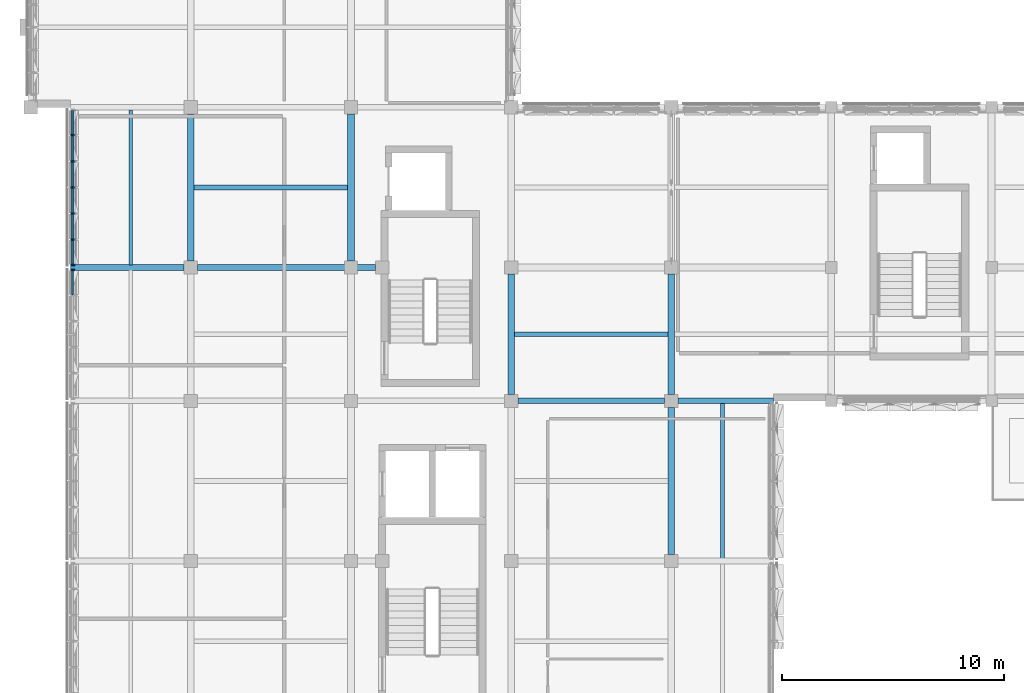
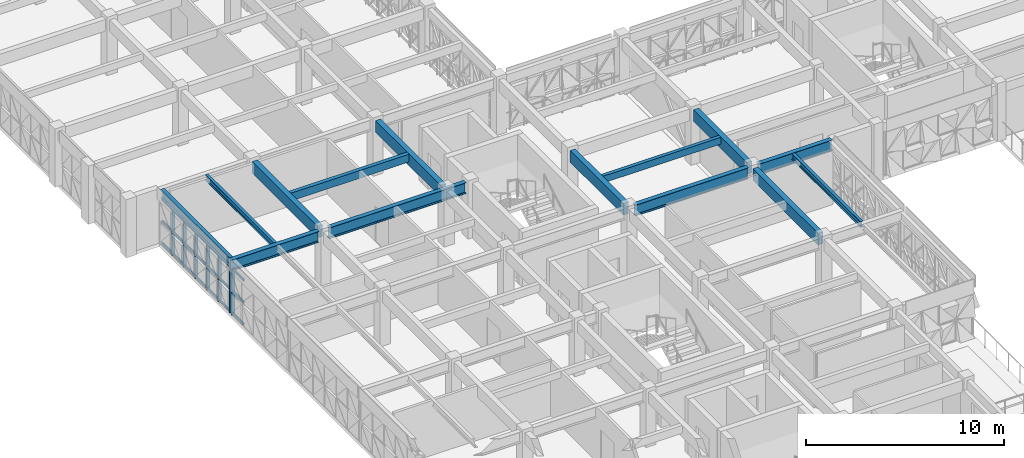
# One storey, part 5 of 74: 28 members, 14 beams, 2 elements without a shape of their own.
"""IFC4 building model written with IfcOpenShell, lengths in metres."""

from ifc_helpers import new_model, si_unit, direction, frame, origin, origin_2d, place, context, subcontext, project, spatial, rectangle, i_section, extrude, material, material_profile, profile_set, type_object, element, aggregate, save


model = new_model("IFC4")

# Units and contexts
model_context = context("Model", 3, precision=1e-05, world=origin(), true_north=direction((0.0, 1.0)))
body_context = subcontext(model_context, "Body", "Model", "MODEL_VIEW")
ifc_project = project(units=[si_unit("LENGTHUNIT", "METRE"), si_unit("AREAUNIT", "SQUARE_METRE"), si_unit("VOLUMEUNIT", "CUBIC_METRE"), si_unit("PLANEANGLEUNIT", "RADIAN"), si_unit("MASSUNIT", "GRAM", prefix="KILO")], contexts=[model_context])

# Site, building, storey
site_placement = place(None, origin())
site = spatial("IfcSite", under=ifc_project, at=site_placement, CompositionType="ELEMENT")
building_placement = place(site_placement, origin())
building = spatial("IfcBuilding", under=site, at=building_placement, Name="Alvorim Cloister Faculty of Sciences", CompositionType="ELEMENT")
storey_placement = place(building_placement, frame((0.0, 0.0, 15.75)))
storey = spatial("IfcBuildingStorey", under=building, at=storey_placement, Name="L04", CompositionType="ELEMENT", Elevation=15.75)

# Beams
ifc_material_1 = material(Name="Glulam GL32h", Category="wood")
ifc_material_profile_1 = material_profile(ifc_material_1, rectangle(XDim=0.300048828125, YDim=0.719970703125, at=origin_2d()), Name="GL32-BM-300x720")
ifc_profile_set_1 = profile_set([ifc_material_profile_1], Name="Glulam GL32h")
beam_type_1 = type_object("IfcBeamType", Name="BM-GL-300x720", PredefinedType="BEAM", material=ifc_profile_set_1)
for number, where, z_axis, x_axis, name in (
    (1, (7.199951171875, 49.5, 3.030029296875), (0.0, 1.0, 0.0), (-1.0, 0.0, 0.0), "L04 Primary Girder BM-1809"),
    (2, (14.39990234375, 49.5, 3.030029296875), (0.0, 1.0, 0.0), (-1.0, 0.0, 0.0), "L04 Primary Girder BM-1824"),
):
    element("IfcBeam", number, at=place(storey_placement, frame(where, z_axis=z_axis, x_axis=x_axis)), inside=storey, type_object=beam_type_1, Name=name, PredefinedType="BEAM", context=body_context, shape_type="SweptSolid", body=[
        extrude(rectangle(XDim=0.300048828125, YDim=0.719970703125, at=origin_2d()), origin(), (0.0, 0.0, 1.0), 6.60009765625),
    ])
beam_1_placement = place(storey_placement, frame((21.60009765625, 43.5, 3.030029296875), z_axis=(0.0, 1.0, 0.0), x_axis=(-1.0, 0.0, 0.0)))
element("IfcBeam", 3, at=beam_1_placement, inside=storey, type_object=beam_type_1, Name="L04 Primary Girder BM-1838", PredefinedType="BEAM", context=body_context, shape_type="SweptSolid", body=[
    extrude(rectangle(XDim=0.300048828125, YDim=0.719970703125, at=origin_2d()), origin(), (0.0, 0.0, 1.0), 5.39990234375),
])
beam_2_placement = place(storey_placement, frame((28.800048828125, 36.300048828125, 3.030029296875), z_axis=(0.0, 1.0, 0.0), x_axis=(-1.0, 0.0, 0.0)))
element("IfcBeam", 4, at=beam_2_placement, inside=storey, type_object=beam_type_1, Name="L04 Primary Girder BM-1852", PredefinedType="BEAM", context=body_context, shape_type="SweptSolid", body=[
    extrude(rectangle(XDim=0.300048828125, YDim=0.719970703125, at=origin_2d()), origin(), (0.0, 0.0, 1.0), 6.599853515625),
])
beam_3_placement = place(storey_placement, frame((28.800048828125, 43.5, 3.030029296875), z_axis=(0.0, 1.0, 0.0), x_axis=(-1.0, 0.0, 0.0)))
element("IfcBeam", 5, at=beam_3_placement, inside=storey, type_object=beam_type_1, Name="L04 Primary Girder BM-1853", PredefinedType="BEAM", context=body_context, shape_type="SweptSolid", body=[
    extrude(rectangle(XDim=0.300048828125, YDim=0.719970703125, at=origin_2d()), origin(), (0.0, 0.0, 1.0), 5.39990234375),
])
ifc_material_2 = material(Name="Glulam GL28h", Category="wood")
ifc_material_profile_2 = material_profile(ifc_material_2, rectangle(XDim=0.199951171875, YDim=0.419921875, at=origin_2d()), Name="GL28-JST-200x420")
ifc_profile_set_2 = profile_set([ifc_material_profile_2], Name="Glulam GL28h")
beam_type_2 = type_object("IfcBeamType", Name="BM-JST-GL-200x420", PredefinedType="JOIST", material=ifc_profile_set_2)
beam_4_placement = place(storey_placement, frame((21.75, 46.199951171875, 3.179931640625), z_axis=(1.0, 0.0, 0.0), x_axis=(0.0, 1.0, 0.0)))
element("IfcBeam", 6, at=beam_4_placement, inside=storey, type_object=beam_type_2, Name="L04 Secondary Floor Joist BM-1928", PredefinedType="JOIST", context=body_context, shape_type="SweptSolid", body=[
    extrude(rectangle(XDim=0.199951171875, YDim=0.419921875, at=origin_2d()), origin(), (0.0, 0.0, 1.0), 6.89990234375),
])
ifc_material_profile_3 = material_profile(ifc_material_2, rectangle(XDim=0.219970703125, YDim=0.47998046875, at=origin_2d()), Name="GL28-JST-220x480")
ifc_profile_set_3 = profile_set([ifc_material_profile_3], Name="Glulam GL28h")
beam_type_3 = type_object("IfcBeamType", Name="BM-JST-GL-220x480", PredefinedType="JOIST", material=ifc_profile_set_3)
beam_5_placement = place(storey_placement, frame((7.35009765625, 52.800048828125, 3.14990234375), z_axis=(1.0, 0.0, 0.0), x_axis=(0.0, 1.0, 0.0)))
element("IfcBeam", 7, at=beam_5_placement, inside=storey, type_object=beam_type_3, Name="L04 Secondary Floor Joist BM-1905", PredefinedType="JOIST", context=body_context, shape_type="SweptSolid", body=[
    extrude(rectangle(XDim=0.219970703125, YDim=0.47998046875, at=origin_2d()), origin(), (0.0, 0.0, 1.0), 6.89990234375),
])
ifc_material_3 = material(Name="Steel ASTM A572 Grade 50", Category="steel")
ifc_material_profile_4 = material_profile(ifc_material_3, i_section(OverallWidth=0.1708984375, OverallDepth=0.35498046875, WebThickness=0.007080078125, FlangeThickness=0.01171875, FilletRadius=0.012939453125, at=origin_2d()), Name="W360x51.0")
ifc_profile_set_4 = profile_set([ifc_material_profile_4], Name="Steel ASTM A572 Grade 50")
beam_type_4 = type_object("IfcBeamType", Name="BM-STL-W360", PredefinedType="JOIST", material=ifc_profile_set_4)
for number, where, z_axis, x_axis, name in (
    (8, (4.5, 49.31005859375, 3.21240234375), (0.0, 1.0, 0.0), (-1.0, 0.0, 0.0), "L04 Cantilever Deck Joist BM-0104"),
    (9, (31.10009765625, 36.110107421875, 3.21240234375), (0.0, 1.0, 0.0), (-1.0, 0.0, 0.0), "L04 Cantilever Deck Joist BM-0140"),
):
    element("IfcBeam", number, at=place(storey_placement, frame(where, z_axis=z_axis, x_axis=x_axis)), inside=storey, type_object=beam_type_4, Name=name, PredefinedType="JOIST", context=body_context, shape_type="SweptSolid", body=[
        extrude(i_section(OverallWidth=0.1708984375, OverallDepth=0.35498046875, WebThickness=0.007080078125, FlangeThickness=0.01171875, FilletRadius=0.012939453125, at=origin_2d()), origin(), (0.0, 0.0, 1.0), 6.97998046875),
    ])
ifc_material_profile_5 = material_profile(ifc_material_3, i_section(OverallWidth=0.208984375, OverallDepth=0.532958984375, WebThickness=0.01025390625, FlangeThickness=0.015625, FilletRadius=0.01611328125, at=origin_2d()), Name="W530x92.0")
ifc_profile_set_5 = profile_set([ifc_material_profile_5], Name="Steel ASTM A572 Grade 50")
beam_type_5 = type_object("IfcBeamType", Name="BM-STL-W530", PredefinedType="BEAM", material=ifc_profile_set_5)
beam_6_placement = place(storey_placement, frame((1.919921875, 49.31005859375, 3.12353515625), z_axis=(0.0, 1.0, 0.0), x_axis=(-1.0, 0.0, 0.0)))
element("IfcBeam", 10, at=beam_6_placement, inside=storey, type_object=beam_type_5, Name="L04 Cantilever Tip Header Girder BM-0103", PredefinedType="BEAM", context=body_context, shape_type="SweptSolid", body=[
    extrude(i_section(OverallWidth=0.208984375, OverallDepth=0.532958984375, WebThickness=0.01025390625, FlangeThickness=0.015625, FilletRadius=0.01611328125, at=origin_2d()), origin(), (0.0, 0.0, 1.0), 6.97998046875),
])
ifc_material_profile_6 = material_profile(ifc_material_3, i_section(OverallWidth=0.25390625, OverallDepth=0.68408203125, WebThickness=0.012451171875, FlangeThickness=0.01904296875, FilletRadius=0.01904296875, at=origin_2d()), Name="W690x140.0")
ifc_profile_set_6 = profile_set([ifc_material_profile_6], Name="Steel ASTM A572 Grade 50")
beam_type_6 = type_object("IfcBeamType", Name="BM-STL-W690", PredefinedType="BEAM", material=ifc_profile_set_6)
beam_7_placement = place(storey_placement, frame((7.5, 49.199951171875, 3.048095703125), z_axis=(1.0, 0.0, 0.0), x_axis=(0.0, 1.0, 0.0)))
element("IfcBeam", 11, at=beam_7_placement, inside=storey, type_object=beam_type_6, Name="L04 Cantilever Backspan Girder BM-0091", PredefinedType="BEAM", context=body_context, shape_type="SweptSolid", body=[
    extrude(i_section(OverallWidth=0.25390625, OverallDepth=0.68408203125, WebThickness=0.012451171875, FlangeThickness=0.01904296875, FilletRadius=0.01904296875, at=origin_2d()), origin(), (0.0, 0.0, 1.0), 8.0),
])
beam_8_placement = place(storey_placement, frame((1.800048828125, 49.199951171875, 3.048095703125), z_axis=(1.0, 0.0, 0.0), x_axis=(0.0, 1.0, 0.0)))
element("IfcBeam", 12, at=beam_8_placement, inside=storey, type_object=beam_type_6, Name="L04 Cantilever Overhang Girder BM-0092", PredefinedType="BEAM", context=body_context, shape_type="SweptSolid", body=[
    extrude(i_section(OverallWidth=0.25390625, OverallDepth=0.68408203125, WebThickness=0.012451171875, FlangeThickness=0.01904296875, FilletRadius=0.01904296875, at=origin_2d()), origin(), (0.0, 0.0, 1.0), 5.099853515625),
])
beam_9_placement = place(storey_placement, frame((21.89990234375, 43.199951171875, 3.048095703125), z_axis=(1.0, 0.0, 0.0), x_axis=(0.0, 1.0, 0.0)))
element("IfcBeam", 13, at=beam_9_placement, inside=storey, type_object=beam_type_6, Name="L04 Cantilever Backspan Girder BM-0135", PredefinedType="BEAM", context=body_context, shape_type="SweptSolid", body=[
    extrude(i_section(OverallWidth=0.25390625, OverallDepth=0.68408203125, WebThickness=0.012451171875, FlangeThickness=0.01904296875, FilletRadius=0.01904296875, at=origin_2d()), origin(), (0.0, 0.0, 1.0), 6.60009765625),
])
beam_10_placement = place(storey_placement, frame((29.10009765625, 43.199951171875, 3.048095703125), z_axis=(1.0, 0.0, 0.0), x_axis=(0.0, 1.0, 0.0)))
element("IfcBeam", 14, at=beam_10_placement, inside=storey, type_object=beam_type_6, Name="L04 Cantilever Overhang Girder BM-0136", PredefinedType="BEAM", context=body_context, shape_type="SweptSolid", body=[
    extrude(i_section(OverallWidth=0.25390625, OverallDepth=0.68408203125, WebThickness=0.012451171875, FlangeThickness=0.01904296875, FilletRadius=0.01904296875, at=origin_2d()), origin(), (0.0, 0.0, 1.0), 4.2998046875),
])

# Curtain wall, member
ifc_material_4 = material(Name="Aluminium and Low-E Glass Curtain Wall", Category="aluminium")
curtain_wall_type_1 = type_object("IfcCurtainWallType", Name="CW-TRI-5840x2857", PredefinedType="USERDEFINED", material=ifc_material_4)
curtain_wall_1_placement = place(storey_placement, origin())
curtain_wall_1 = element("IfcCurtainWall", 15, at=curtain_wall_1_placement, inside=storey, type_object=curtain_wall_type_1, Name="L04 Diagonal Cassette Curtain Wall CW-0168", ObjectType="UNITISED CURTAIN WALL", PredefinedType="USERDEFINED")
ifc_material_5 = material(Name="Aluminium Alloy 6063-T6", Category="aluminium")
ifc_material_profile_7 = material_profile(ifc_material_5, rectangle(XDim=0.06494140625, YDim=0.179931640625, at=origin_2d()), Name="ALU-MUL-65x180")
ifc_profile_set_7 = profile_set([ifc_material_profile_7], Name="Aluminium Alloy 6063-T6")
member_type_1 = type_object("IfcMemberType", Name="CW-MUL-65x180", PredefinedType="MULLION", material=ifc_profile_set_7)
member_1_placement = place(storey_placement, frame((1.889892578125, 49.08740234375, 0.0), z_axis=(0.0, 0.0, 1.0), x_axis=(0.0, 1.0, 0.0)))
member_1 = element("IfcMember", 16, at=member_1_placement, type_object=member_type_1, Name="CW-0168 Mullion 6", PredefinedType="MULLION", context=body_context, shape_type="SweptSolid", body=[
    extrude(rectangle(XDim=0.06494140625, YDim=0.179931640625, at=origin_2d()), origin(), (0.0, 0.0, 1.0), 2.85693359375),
])

# Curtain wall, members
curtain_wall_type_2 = type_object("IfcCurtainWallType", Name="CW-TRI-7040x2857", PredefinedType="USERDEFINED", material=ifc_material_4)
curtain_wall_2_placement = place(storey_placement, origin())
curtain_wall_2 = element("IfcCurtainWall", 17, at=curtain_wall_2_placement, inside=storey, type_object=curtain_wall_type_2, Name="L04 Diagonal Cassette Curtain Wall CW-0169", ObjectType="UNITISED CURTAIN WALL", PredefinedType="USERDEFINED")
member_2_placement = place(storey_placement, frame((1.889892578125, 49.3125, 0.0), z_axis=(0.0, 0.0, 1.0), x_axis=(0.0, 1.0, 0.0)))
member_2 = element("IfcMember", 18, at=member_2_placement, type_object=member_type_1, Name="CW-0169 Mullion 1", PredefinedType="MULLION", context=body_context, shape_type="SweptSolid", body=[
    extrude(rectangle(XDim=0.06494140625, YDim=0.179931640625, at=origin_2d()), origin(), (0.0, 0.0, 1.0), 2.85693359375),
])
member_3_placement = place(storey_placement, frame((1.889892578125, 50.453369140625, 0.0), z_axis=(0.0, 0.0, 1.0), x_axis=(0.0, 1.0, 0.0)))
member_3 = element("IfcMember", 19, at=member_3_placement, type_object=member_type_1, Name="CW-0169 Mullion 2", PredefinedType="MULLION", context=body_context, shape_type="SweptSolid", body=[
    extrude(rectangle(XDim=0.06494140625, YDim=0.179931640625, at=origin_2d()), origin(), (0.0, 0.0, 1.0), 2.85693359375),
])
member_4_placement = place(storey_placement, frame((1.889892578125, 51.626708984375, 0.0), z_axis=(0.0, 0.0, 1.0), x_axis=(0.0, 1.0, 0.0)))
member_4 = element("IfcMember", 20, at=member_4_placement, type_object=member_type_1, Name="CW-0169 Mullion 3", PredefinedType="MULLION", context=body_context, shape_type="SweptSolid", body=[
    extrude(rectangle(XDim=0.06494140625, YDim=0.179931640625, at=origin_2d()), origin(), (0.0, 0.0, 1.0), 2.85693359375),
])
member_5_placement = place(storey_placement, frame((1.889892578125, 52.800048828125, 0.0), z_axis=(0.0, 0.0, 1.0), x_axis=(0.0, 1.0, 0.0)))
member_5 = element("IfcMember", 21, at=member_5_placement, type_object=member_type_1, Name="CW-0169 Mullion 4", PredefinedType="MULLION", context=body_context, shape_type="SweptSolid", body=[
    extrude(rectangle(XDim=0.06494140625, YDim=0.179931640625, at=origin_2d()), origin(), (0.0, 0.0, 1.0), 2.85693359375),
])
member_6_placement = place(storey_placement, frame((1.889892578125, 53.973388671875, 0.0), z_axis=(0.0, 0.0, 1.0), x_axis=(0.0, 1.0, 0.0)))
member_6 = element("IfcMember", 22, at=member_6_placement, type_object=member_type_1, Name="CW-0169 Mullion 5", PredefinedType="MULLION", context=body_context, shape_type="SweptSolid", body=[
    extrude(rectangle(XDim=0.06494140625, YDim=0.179931640625, at=origin_2d()), origin(), (0.0, 0.0, 1.0), 2.85693359375),
])
member_7_placement = place(storey_placement, frame((1.889892578125, 55.146728515625, 0.0), z_axis=(0.0, 0.0, 1.0), x_axis=(0.0, 1.0, 0.0)))
member_7 = element("IfcMember", 23, at=member_7_placement, type_object=member_type_1, Name="CW-0169 Mullion 6", PredefinedType="MULLION", context=body_context, shape_type="SweptSolid", body=[
    extrude(rectangle(XDim=0.06494140625, YDim=0.179931640625, at=origin_2d()), origin(), (0.0, 0.0, 1.0), 2.85693359375),
])

# Member
ifc_material_profile_8 = material_profile(ifc_material_5, rectangle(XDim=0.06494140625, YDim=0.139892578125, at=origin_2d()), Name="ALU-TRN-65x140")
ifc_profile_set_8 = profile_set([ifc_material_profile_8], Name="Aluminium Alloy 6063-T6")
member_type_2 = type_object("IfcMemberType", Name="CW-TRN-65x140", PredefinedType="USERDEFINED", material=ifc_profile_set_8)
member_8_placement = place(storey_placement, frame((1.889892578125, 47.984619140625, 0.070068359375), z_axis=(0.0, 1.0, 0.0), x_axis=(-1.0, 0.0, 0.0)))
member_8 = element("IfcMember", 24, at=member_8_placement, type_object=member_type_2, Name="CW-0168 Transom 5.1", ObjectType="TRANSOM", PredefinedType="USERDEFINED", context=body_context, shape_type="SweptSolid", body=[
    extrude(rectangle(XDim=0.06494140625, YDim=0.139892578125, at=origin_2d()), origin(), (0.0, 0.0, 1.0), 1.0703125),
])

member_9_placement = place(storey_placement, frame((1.889892578125, 47.984619140625, 1.428466796875), z_axis=(0.0, 1.0, 0.0), x_axis=(-1.0, 0.0, 0.0)))
member_9 = element("IfcMember", 25, at=member_9_placement, type_object=member_type_2, Name="CW-0168 Transom 5.2", ObjectType="TRANSOM", PredefinedType="USERDEFINED", context=body_context, shape_type="SweptSolid", body=[
    extrude(rectangle(XDim=0.06494140625, YDim=0.139892578125, at=origin_2d()), origin(), (0.0, 0.0, 1.0), 1.0703125),
])

member_10_placement = place(storey_placement, frame((1.889892578125, 47.984619140625, 2.787109375), z_axis=(0.0, 1.0, 0.0), x_axis=(-1.0, 0.0, 0.0)))
member_10 = element("IfcMember", 26, at=member_10_placement, type_object=member_type_2, Name="CW-0168 Transom 5.3", ObjectType="TRANSOM", PredefinedType="USERDEFINED", context=body_context, shape_type="SweptSolid", body=[
    extrude(rectangle(XDim=0.06494140625, YDim=0.139892578125, at=origin_2d()), origin(), (0.0, 0.0, 1.0), 1.0703125),
])

aggregate(curtain_wall_1, [member_1, member_8, member_9, member_10])

member_11_placement = place(storey_placement, frame((1.889892578125, 49.344970703125, 0.070068359375), z_axis=(0.0, 1.0, 0.0), x_axis=(-1.0, 0.0, 0.0)))
member_11 = element("IfcMember", 27, at=member_11_placement, type_object=member_type_2, Name="CW-0169 Transom 1.1", ObjectType="TRANSOM", PredefinedType="USERDEFINED", context=body_context, shape_type="SweptSolid", body=[
    extrude(rectangle(XDim=0.06494140625, YDim=0.139892578125, at=origin_2d()), origin(), (0.0, 0.0, 1.0), 1.075927734375),
])

member_12_placement = place(storey_placement, frame((1.889892578125, 49.344970703125, 1.428466796875), z_axis=(0.0, 1.0, 0.0), x_axis=(-1.0, 0.0, 0.0)))
member_12 = element("IfcMember", 28, at=member_12_placement, type_object=member_type_2, Name="CW-0169 Transom 1.2", ObjectType="TRANSOM", PredefinedType="USERDEFINED", context=body_context, shape_type="SweptSolid", body=[
    extrude(rectangle(XDim=0.06494140625, YDim=0.139892578125, at=origin_2d()), origin(), (0.0, 0.0, 1.0), 1.075927734375),
])

member_13_placement = place(storey_placement, frame((1.889892578125, 49.344970703125, 2.787109375), z_axis=(0.0, 1.0, 0.0), x_axis=(-1.0, 0.0, 0.0)))
member_13 = element("IfcMember", 29, at=member_13_placement, type_object=member_type_2, Name="CW-0169 Transom 1.3", ObjectType="TRANSOM", PredefinedType="USERDEFINED", context=body_context, shape_type="SweptSolid", body=[
    extrude(rectangle(XDim=0.06494140625, YDim=0.139892578125, at=origin_2d()), origin(), (0.0, 0.0, 1.0), 1.075927734375),
])

member_14_placement = place(storey_placement, frame((1.889892578125, 50.48583984375, 0.070068359375), z_axis=(0.0, 1.0, 0.0), x_axis=(-1.0, 0.0, 0.0)))
member_14 = element("IfcMember", 30, at=member_14_placement, type_object=member_type_2, Name="CW-0169 Transom 2.1", ObjectType="TRANSOM", PredefinedType="USERDEFINED", context=body_context, shape_type="SweptSolid", body=[
    extrude(rectangle(XDim=0.06494140625, YDim=0.139892578125, at=origin_2d()), origin(), (0.0, 0.0, 1.0), 1.1083984375),
])

member_15_placement = place(storey_placement, frame((1.889892578125, 50.48583984375, 1.428466796875), z_axis=(0.0, 1.0, 0.0), x_axis=(-1.0, 0.0, 0.0)))
member_15 = element("IfcMember", 31, at=member_15_placement, type_object=member_type_2, Name="CW-0169 Transom 2.2", ObjectType="TRANSOM", PredefinedType="USERDEFINED", context=body_context, shape_type="SweptSolid", body=[
    extrude(rectangle(XDim=0.06494140625, YDim=0.139892578125, at=origin_2d()), origin(), (0.0, 0.0, 1.0), 1.1083984375),
])

member_16_placement = place(storey_placement, frame((1.889892578125, 50.48583984375, 2.787109375), z_axis=(0.0, 1.0, 0.0), x_axis=(-1.0, 0.0, 0.0)))
member_16 = element("IfcMember", 32, at=member_16_placement, type_object=member_type_2, Name="CW-0169 Transom 2.3", ObjectType="TRANSOM", PredefinedType="USERDEFINED", context=body_context, shape_type="SweptSolid", body=[
    extrude(rectangle(XDim=0.06494140625, YDim=0.139892578125, at=origin_2d()), origin(), (0.0, 0.0, 1.0), 1.1083984375),
])

member_17_placement = place(storey_placement, frame((1.889892578125, 51.6591796875, 0.070068359375), z_axis=(0.0, 1.0, 0.0), x_axis=(-1.0, 0.0, 0.0)))
member_17 = element("IfcMember", 33, at=member_17_placement, type_object=member_type_2, Name="CW-0169 Transom 3.1", ObjectType="TRANSOM", PredefinedType="USERDEFINED", context=body_context, shape_type="SweptSolid", body=[
    extrude(rectangle(XDim=0.06494140625, YDim=0.139892578125, at=origin_2d()), origin(), (0.0, 0.0, 1.0), 1.1083984375),
])

member_18_placement = place(storey_placement, frame((1.889892578125, 51.6591796875, 1.428466796875), z_axis=(0.0, 1.0, 0.0), x_axis=(-1.0, 0.0, 0.0)))
member_18 = element("IfcMember", 34, at=member_18_placement, type_object=member_type_2, Name="CW-0169 Transom 3.2", ObjectType="TRANSOM", PredefinedType="USERDEFINED", context=body_context, shape_type="SweptSolid", body=[
    extrude(rectangle(XDim=0.06494140625, YDim=0.139892578125, at=origin_2d()), origin(), (0.0, 0.0, 1.0), 1.1083984375),
])

member_19_placement = place(storey_placement, frame((1.889892578125, 51.6591796875, 2.787109375), z_axis=(0.0, 1.0, 0.0), x_axis=(-1.0, 0.0, 0.0)))
member_19 = element("IfcMember", 35, at=member_19_placement, type_object=member_type_2, Name="CW-0169 Transom 3.3", ObjectType="TRANSOM", PredefinedType="USERDEFINED", context=body_context, shape_type="SweptSolid", body=[
    extrude(rectangle(XDim=0.06494140625, YDim=0.139892578125, at=origin_2d()), origin(), (0.0, 0.0, 1.0), 1.1083984375),
])

member_20_placement = place(storey_placement, frame((1.889892578125, 52.83251953125, 0.070068359375), z_axis=(0.0, 1.0, 0.0), x_axis=(-1.0, 0.0, 0.0)))
member_20 = element("IfcMember", 36, at=member_20_placement, type_object=member_type_2, Name="CW-0169 Transom 4.1", ObjectType="TRANSOM", PredefinedType="USERDEFINED", context=body_context, shape_type="SweptSolid", body=[
    extrude(rectangle(XDim=0.06494140625, YDim=0.139892578125, at=origin_2d()), origin(), (0.0, 0.0, 1.0), 1.1083984375),
])

member_21_placement = place(storey_placement, frame((1.889892578125, 52.83251953125, 1.428466796875), z_axis=(0.0, 1.0, 0.0), x_axis=(-1.0, 0.0, 0.0)))
member_21 = element("IfcMember", 37, at=member_21_placement, type_object=member_type_2, Name="CW-0169 Transom 4.2", ObjectType="TRANSOM", PredefinedType="USERDEFINED", context=body_context, shape_type="SweptSolid", body=[
    extrude(rectangle(XDim=0.06494140625, YDim=0.139892578125, at=origin_2d()), origin(), (0.0, 0.0, 1.0), 1.1083984375),
])

member_22_placement = place(storey_placement, frame((1.889892578125, 52.83251953125, 2.787109375), z_axis=(0.0, 1.0, 0.0), x_axis=(-1.0, 0.0, 0.0)))
member_22 = element("IfcMember", 38, at=member_22_placement, type_object=member_type_2, Name="CW-0169 Transom 4.3", ObjectType="TRANSOM", PredefinedType="USERDEFINED", context=body_context, shape_type="SweptSolid", body=[
    extrude(rectangle(XDim=0.06494140625, YDim=0.139892578125, at=origin_2d()), origin(), (0.0, 0.0, 1.0), 1.1083984375),
])

member_23_placement = place(storey_placement, frame((1.889892578125, 54.005859375, 0.070068359375), z_axis=(0.0, 1.0, 0.0), x_axis=(-1.0, 0.0, 0.0)))
member_23 = element("IfcMember", 39, at=member_23_placement, type_object=member_type_2, Name="CW-0169 Transom 5.1", ObjectType="TRANSOM", PredefinedType="USERDEFINED", context=body_context, shape_type="SweptSolid", body=[
    extrude(rectangle(XDim=0.06494140625, YDim=0.139892578125, at=origin_2d()), origin(), (0.0, 0.0, 1.0), 1.1083984375),
])

member_24_placement = place(storey_placement, frame((1.889892578125, 54.005859375, 1.428466796875), z_axis=(0.0, 1.0, 0.0), x_axis=(-1.0, 0.0, 0.0)))
member_24 = element("IfcMember", 40, at=member_24_placement, type_object=member_type_2, Name="CW-0169 Transom 5.2", ObjectType="TRANSOM", PredefinedType="USERDEFINED", context=body_context, shape_type="SweptSolid", body=[
    extrude(rectangle(XDim=0.06494140625, YDim=0.139892578125, at=origin_2d()), origin(), (0.0, 0.0, 1.0), 1.1083984375),
])

member_25_placement = place(storey_placement, frame((1.889892578125, 54.005859375, 2.787109375), z_axis=(0.0, 1.0, 0.0), x_axis=(-1.0, 0.0, 0.0)))
member_25 = element("IfcMember", 41, at=member_25_placement, type_object=member_type_2, Name="CW-0169 Transom 5.3", ObjectType="TRANSOM", PredefinedType="USERDEFINED", context=body_context, shape_type="SweptSolid", body=[
    extrude(rectangle(XDim=0.06494140625, YDim=0.139892578125, at=origin_2d()), origin(), (0.0, 0.0, 1.0), 1.1083984375),
])

member_26_placement = place(storey_placement, frame((1.889892578125, 55.17919921875, 0.070068359375), z_axis=(0.0, 1.0, 0.0), x_axis=(-1.0, 0.0, 0.0)))
member_26 = element("IfcMember", 42, at=member_26_placement, type_object=member_type_2, Name="CW-0169 Transom 6.1", ObjectType="TRANSOM", PredefinedType="USERDEFINED", context=body_context, shape_type="SweptSolid", body=[
    extrude(rectangle(XDim=0.06494140625, YDim=0.139892578125, at=origin_2d()), origin(), (0.0, 0.0, 1.0), 1.07568359375),
])

member_27_placement = place(storey_placement, frame((1.889892578125, 55.17919921875, 1.428466796875), z_axis=(0.0, 1.0, 0.0), x_axis=(-1.0, 0.0, 0.0)))
member_27 = element("IfcMember", 43, at=member_27_placement, type_object=member_type_2, Name="CW-0169 Transom 6.2", ObjectType="TRANSOM", PredefinedType="USERDEFINED", context=body_context, shape_type="SweptSolid", body=[
    extrude(rectangle(XDim=0.06494140625, YDim=0.139892578125, at=origin_2d()), origin(), (0.0, 0.0, 1.0), 1.07568359375),
])

member_28_placement = place(storey_placement, frame((1.889892578125, 55.17919921875, 2.787109375), z_axis=(0.0, 1.0, 0.0), x_axis=(-1.0, 0.0, 0.0)))
member_28 = element("IfcMember", 44, at=member_28_placement, type_object=member_type_2, Name="CW-0169 Transom 6.3", ObjectType="TRANSOM", PredefinedType="USERDEFINED", context=body_context, shape_type="SweptSolid", body=[
    extrude(rectangle(XDim=0.06494140625, YDim=0.139892578125, at=origin_2d()), origin(), (0.0, 0.0, 1.0), 1.07568359375),
])

aggregate(curtain_wall_2, [member_2, member_3, member_4, member_5, member_6, member_7, member_11, member_12, member_13, member_14, member_15, member_16, member_17, member_18, member_19, member_20, member_21, member_22, member_23, member_24, member_25, member_26, member_27, member_28])

save(model, "model.ifc")
